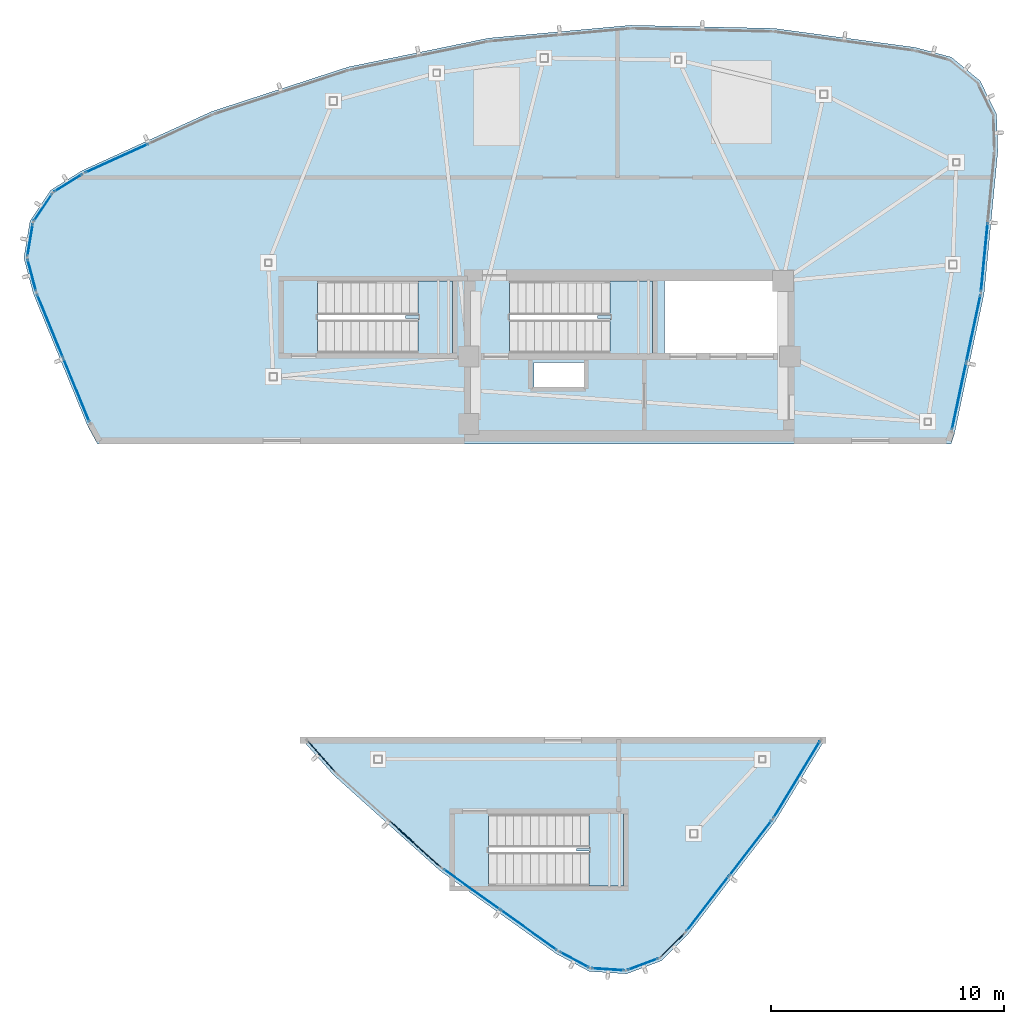
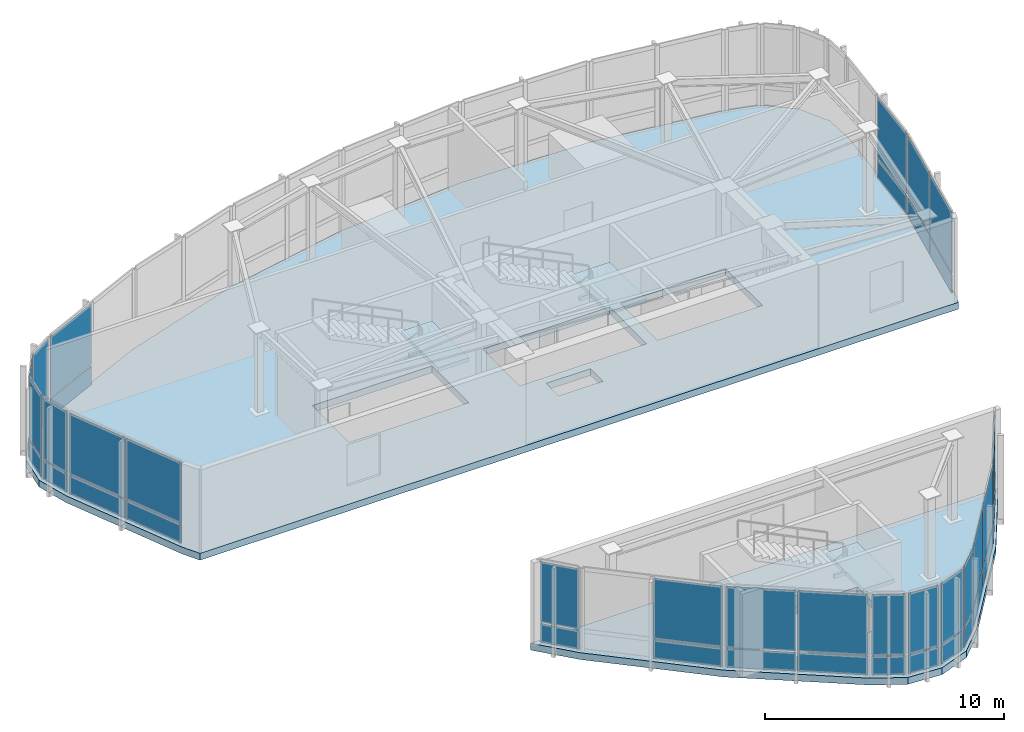
# One storey, part 9 of 16: 42 plates, 5 slabs, 20 elements without a shape of their own.
"""IFC4 building model written with IfcOpenShell, lengths in metres."""

from ifc_helpers import new_model, si_unit, direction, frame, origin, origin_2d, place, context, subcontext, project, spatial, polyline, rectangle, outline, extrude, source, transform, mapped, material, layer, layer_set, type_object, type_shapes, element, aggregate, save


model = new_model("IFC4")

# Units and contexts
model_context = context("Model", 3, precision=1e-05, world=origin(), true_north=direction((0.0, 1.0)))
body_context = subcontext(model_context, "Body", "Model", "MODEL_VIEW")
ifc_project = project(units=[si_unit("LENGTHUNIT", "METRE"), si_unit("AREAUNIT", "SQUARE_METRE"), si_unit("VOLUMEUNIT", "CUBIC_METRE"), si_unit("PLANEANGLEUNIT", "RADIAN"), si_unit("MASSUNIT", "GRAM", prefix="KILO")], contexts=[model_context])

# Site, building, storey
site_placement = place(None, origin())
site = spatial("IfcSite", under=ifc_project, at=site_placement, CompositionType="ELEMENT")
building_placement = place(site_placement, origin())
building = spatial("IfcBuilding", under=site, at=building_placement, Name="Tavelor Broadcast Tower", CompositionType="ELEMENT")
storey_placement = place(building_placement, frame((0.0, 0.0, 336.699951171875)))
storey = spatial("IfcBuildingStorey", under=building, at=storey_placement, Name="L80", CompositionType="ELEMENT", Elevation=336.699951171875)

# Slabs
ifc_material_1 = material(Name="Concrete C40/50", Category="concrete")
ifc_layer_1 = layer(ifc_material_1, 0.35009765625)
ifc_layer_set_1 = layer_set([ifc_layer_1], Name="Concrete C40/50")
slab_type_1 = type_object("IfcSlabType", Name="Podium Structural Floor Slab 350 mm", PredefinedType="FLOOR", material=ifc_layer_set_1)
slab_1_placement = place(storey_placement, frame((0.0, 0.0, -0.349853515625)))
element("IfcSlab", 1, at=slab_1_placement, inside=storey, type_object=slab_type_1, Name="L80 Crown Peak A Floor Slab", PredefinedType="FLOOR", context=body_context, shape_type="SweptSolid", body=[
    extrude(outline(polyline([(27.138671875, 44.199951171875), (63.831787109375, 44.199951171875), (63.97802734375, 44.64013671875), (65.250732421875, 50.65283203125), (65.842041015625, 56.7705078125), (65.78759765625, 58.369873046875), (65.07958984375, 59.805419921875), (63.84375, 60.822265625), (62.299072265625, 61.240478515625), (56.2080078125, 62.06201171875), (50.063720703125, 62.19580078125), (43.942626953125, 61.640380859375), (37.922607421875, 60.403076171875), (32.0791015625, 58.498779296875), (26.485595703125, 55.9521484375), (25.12744140625, 55.105224609375), (24.23828125, 53.7744140625), (23.9755859375, 52.19580078125), (24.3857421875, 50.648681640625), (26.719970703125, 44.963134765625), (27.138671875, 44.199951171875)]), holes=[polyline([(48.050048828125, 47.699951171875), (48.050048828125, 46.64990234375), (45.89990234375, 46.64990234375), (45.89990234375, 47.699951171875), (48.050048828125, 47.699951171875)]), polyline([(42.39599609375, 51.196044921875), (42.39599609375, 48.10400390625), (36.60400390625, 48.10400390625), (36.60400390625, 51.196044921875), (42.39599609375, 51.196044921875)]), polyline([(50.99609375, 51.196044921875), (50.99609375, 48.10400390625), (44.85400390625, 48.10400390625), (44.85400390625, 51.196044921875), (50.99609375, 51.196044921875)]), polyline([(56.60009765625, 51.199951171875), (56.60009765625, 48.10009765625), (51.52001953125, 48.10009765625), (51.52001953125, 51.199951171875), (56.60009765625, 51.199951171875)])]), origin(), (0.0, 0.0, 1.0), 0.349853515625),
])
slab_2_placement = place(storey_placement, frame((0.0, 0.0, -0.349853515625)))
element("IfcSlab", 2, at=slab_2_placement, inside=storey, type_object=slab_type_1, Name="L80 Crown Peak B Floor Slab", PredefinedType="FLOOR", context=body_context, shape_type="SweptSolid", body=[
    extrude(outline(polyline([(58.4716796875, 31.60009765625), (35.839599609375, 31.60009765625), (37.29931640625, 29.956787109375), (41.8701171875, 25.848388671875), (46.872314453125, 22.277587890625), (48.284912109375, 21.52490234375), (49.882080078125, 21.420166015625), (51.380615234375, 21.98193359375), (52.51513671875, 23.11083984375), (56.27197265625, 27.974853515625), (58.4716796875, 31.60009765625)]), holes=[polyline([(43.9541015625, 25.2041015625), (43.9541015625, 28.2958984375), (49.74609375, 28.2958984375), (49.74609375, 25.2041015625), (43.9541015625, 25.2041015625)])]), origin(), (0.0, 0.0, 1.0), 0.349853515625),
])

# Stair, slab
stair_type = type_object("IfcStairType", Name="Reinforced Concrete Protected Dogleg Stair 1450 mm", PredefinedType="HALF_TURN_STAIR", material=ifc_material_1)
stair_1_placement = place(storey_placement, origin())
stair_1 = element("IfcStair", 3, at=stair_1_placement, inside=storey, type_object=stair_type, Name="L80 Protected Core Exit Stair ST1", PredefinedType="HALF_TURN_STAIR")
ifc_layer_2 = layer(ifc_material_1, 0.199951171875)
ifc_layer_set_2 = layer_set([ifc_layer_2], Name="Concrete C40/50")
slab_type_2 = type_object("IfcSlabType", Name="Reinforced Concrete Stair Half-Landing Slab 200 mm", PredefinedType="LANDING", material=ifc_layer_set_2)
slab_3_placement = place(storey_placement, frame((0.0, 0.0, 2.10009765625)))
slab_3 = element("IfcSlab", 4, at=slab_3_placement, type_object=slab_type_2, Name="ST1 landing 1", PredefinedType="LANDING", context=body_context, shape_type="SweptSolid", body=[
    extrude(outline(polyline([(49.1650390625, 49.590087890625), (49.1650390625, 48.094970703125), (51.0048828125, 48.094970703125), (51.0048828125, 51.205078125), (49.1650390625, 51.205078125), (49.1650390625, 49.7099609375), (48.625, 49.7099609375), (48.625, 49.590087890625), (49.1650390625, 49.590087890625)])), origin(), (0.0, 0.0, 1.0), 0.199951171875),
])
aggregate(stair_1, [slab_3])

stair_2_placement = place(storey_placement, origin())
stair_2 = element("IfcStair", 5, at=stair_2_placement, inside=storey, type_object=stair_type, Name="L80 Crown Peak A Plant Stair ST5", PredefinedType="HALF_TURN_STAIR")
slab_4_placement = place(storey_placement, frame((0.0, 0.0, 2.10009765625)))
slab_4 = element("IfcSlab", 6, at=slab_4_placement, type_object=slab_type_2, Name="ST5 landing 1", PredefinedType="LANDING", context=body_context, shape_type="SweptSolid", body=[
    extrude(outline(polyline([(40.9150390625, 49.590087890625), (40.9150390625, 48.094970703125), (42.405029296875, 48.094970703125), (42.405029296875, 51.205078125), (40.9150390625, 51.205078125), (40.9150390625, 49.7099609375), (40.375, 49.7099609375), (40.375, 49.590087890625), (40.9150390625, 49.590087890625)])), origin(), (0.0, 0.0, 1.0), 0.199951171875),
])
aggregate(stair_2, [slab_4])

stair_3_placement = place(storey_placement, origin())
stair_3 = element("IfcStair", 7, at=stair_3_placement, inside=storey, type_object=stair_type, Name="L80 Crown Peak B Plant Stair ST6", PredefinedType="HALF_TURN_STAIR")
slab_5_placement = place(storey_placement, frame((0.0, 0.0, 2.10009765625)))
slab_5 = element("IfcSlab", 8, at=slab_5_placement, type_object=slab_type_2, Name="ST6 landing 1", PredefinedType="LANDING", context=body_context, shape_type="SweptSolid", body=[
    extrude(outline(polyline([(48.264892578125, 26.68994140625), (48.264892578125, 25.195068359375), (49.7548828125, 25.195068359375), (49.7548828125, 28.304931640625), (48.264892578125, 28.304931640625), (48.264892578125, 26.81005859375), (47.72509765625, 26.81005859375), (47.72509765625, 26.68994140625), (48.264892578125, 26.68994140625)])), origin(), (0.0, 0.0, 1.0), 0.199951171875),
])
aggregate(stair_3, [slab_5])

# Curtain wall, plates
ifc_material_2 = material(Name="Architectural Anodized Aluminium", Category="aluminium")
ifc_layer_3 = layer(ifc_material_2, 0.2099609375)
ifc_layer_set_3 = layer_set([ifc_layer_3], Name="Architectural Anodized Aluminium")
curtain_wall_type = type_object("IfcCurtainWallType", Name="Split-Crown Beacon Curtain Wall CW06", PredefinedType="NOTDEFINED", material=ifc_layer_set_3)
curtain_wall_1_placement = place(storey_placement, origin())
curtain_wall_1 = element("IfcCurtainWall", 9, at=curtain_wall_1_placement, inside=storey, type_object=curtain_wall_type, Name="L80 Curtain Wall CW06 Run 903", PredefinedType="NOTDEFINED")
ifc_material_3 = material(Name="Dichroic Solar Laminated Glazing 34 mm", Category="glass")
ifc_layer_4 = layer(ifc_material_3, 0.033935546875)
ifc_layer_set_4 = layer_set([ifc_layer_4], Name="Dichroic Solar Laminated Glazing 34 mm")
plate_type = type_object("IfcPlateType", Name="CW06 Insulated Vision Glazing Panel 34 mm", PredefinedType="CURTAIN_PANEL", material=ifc_layer_set_4)
shared_shape_1 = source(origin(), body_context, "Body", "SweptSolid", [
    extrude(rectangle(XDim=2.90966796875, YDim=0.033935546875, at=origin_2d()), origin(), (0.0, 0.0, 1.0), 0.94189453125),
])
plate_1_placement = place(storey_placement, frame((64.17529296875, 46.248779296875, 0.072021484375), z_axis=(0.0, 0.0, 1.0), x_axis=(0.207100105662, 0.978319756641, 0.0)))
plate_1 = element("IfcPlate", 10, at=plate_1_placement, type_object=plate_type, Name="CW06 panel 1.1", PredefinedType="CURTAIN_PANEL", context=body_context, shape_type="MappedRepresentation", body=[
    mapped(shared_shape_1, transform((0.0, 0.0, 0.0), scale=1.0)),
])
plate_2_placement = place(storey_placement, frame((64.79296875, 49.165771484375, 0.072021484375), z_axis=(0.0, 0.0, 1.0), x_axis=(0.207100105662, 0.978319756641, 0.0)))
plate_2 = element("IfcPlate", 11, at=plate_2_placement, type_object=plate_type, Name="CW06 panel 2.1", PredefinedType="CURTAIN_PANEL", context=body_context, shape_type="MappedRepresentation", body=[
    mapped(shared_shape_1, transform((0.0, 0.0, 0.0), scale=1.0)),
])
shared_shape_2 = source(origin(), body_context, "Body", "SweptSolid", [
    extrude(rectangle(XDim=2.90966796875, YDim=0.033935546875, at=origin_2d()), origin(), (0.0, 0.0, 1.0), 3.092041015625),
])
plate_3_placement = place(storey_placement, frame((64.17529296875, 46.248779296875, 1.0859375), z_axis=(0.0, 0.0, 1.0), x_axis=(0.207100105662, 0.978319756641, 0.0)))
plate_3 = element("IfcPlate", 12, at=plate_3_placement, type_object=plate_type, Name="CW06 panel 1.2", PredefinedType="CURTAIN_PANEL", context=body_context, shape_type="MappedRepresentation", body=[
    mapped(shared_shape_2, transform((0.0, 0.0, 0.0), scale=1.0)),
])
plate_4_placement = place(storey_placement, frame((64.79296875, 49.165771484375, 1.0859375), z_axis=(0.0, 0.0, 1.0), x_axis=(0.207100105662, 0.978319756641, 0.0)))
plate_4 = element("IfcPlate", 13, at=plate_4_placement, type_object=plate_type, Name="CW06 panel 2.2", PredefinedType="CURTAIN_PANEL", context=body_context, shape_type="MappedRepresentation", body=[
    mapped(shared_shape_2, transform((0.0, 0.0, 0.0), scale=1.0)),
])
aggregate(curtain_wall_1, [plate_1, plate_3, plate_2, plate_4])

# Curtain wall, plate
curtain_wall_2_placement = place(storey_placement, origin())
curtain_wall_2 = element("IfcCurtainWall", 14, at=curtain_wall_2_placement, inside=storey, type_object=curtain_wall_type, Name="L80 Curtain Wall CW06 Run 904", PredefinedType="NOTDEFINED")
shared_shape_3 = source(origin(), body_context, "Body", "SweptSolid", [
    extrude(rectangle(XDim=2.94140625, YDim=0.033935546875, at=origin_2d()), origin(), (0.0, 0.0, 1.0), 0.94189453125),
])
plate_5_placement = place(storey_placement, frame((65.261962890625, 52.224609375, 0.072021484375), z_axis=(0.0, 0.0, 1.0), x_axis=(0.09619633773, 0.995362378537, 0.0)))
plate_5 = element("IfcPlate", 15, at=plate_5_placement, type_object=plate_type, Name="CW06 panel 1.1", PredefinedType="CURTAIN_PANEL", context=body_context, shape_type="MappedRepresentation", body=[
    mapped(shared_shape_3, transform((0.0, 0.0, 0.0), scale=1.0)),
])

curtain_wall_3_placement = place(storey_placement, origin())
curtain_wall_3 = element("IfcCurtainWall", 16, at=curtain_wall_3_placement, inside=storey, type_object=curtain_wall_type, Name="L80 Curtain Wall CW06 Run 914", PredefinedType="NOTDEFINED")
plate_6_placement = place(storey_placement, frame((27.969482421875, 56.473876953125, 0.072021484375), z_axis=(0.0, 0.0, 1.0), x_axis=(-0.910109689014, -0.414367414215, 0.0)))
plate_6 = element("IfcPlate", 17, at=plate_6_placement, type_object=plate_type, Name="CW06 panel 2.1", PredefinedType="CURTAIN_PANEL", context=body_context, shape_type="MappedRepresentation", body=[
    mapped(shared_shape_3, transform((0.0, 0.0, 0.0), scale=1.0)),
])

# Curtain wall, plates
curtain_wall_4_placement = place(storey_placement, origin())
curtain_wall_4 = element("IfcCurtainWall", 18, at=curtain_wall_4_placement, inside=storey, type_object=curtain_wall_type, Name="L80 Curtain Wall CW06 Run 927", PredefinedType="NOTDEFINED")
plate_7_placement = place(storey_placement, frame((53.3623046875, 24.4365234375, 0.072021484375), z_axis=(0.0, 0.0, 1.0), x_axis=(0.611254757254, 0.791433902315, 0.0)))
plate_7 = element("IfcPlate", 19, at=plate_7_placement, type_object=plate_type, Name="CW06 panel 1.1", PredefinedType="CURTAIN_PANEL", context=body_context, shape_type="MappedRepresentation", body=[
    mapped(shared_shape_3, transform((0.0, 0.0, 0.0), scale=1.0)),
])
plate_8_placement = place(storey_placement, frame((55.2041015625, 26.821533203125, 0.072021484375), z_axis=(0.0, 0.0, 1.0), x_axis=(0.611254757254, 0.791433902315, 0.0)))
plate_8 = element("IfcPlate", 20, at=plate_8_placement, type_object=plate_type, Name="CW06 panel 2.1", PredefinedType="CURTAIN_PANEL", context=body_context, shape_type="MappedRepresentation", body=[
    mapped(shared_shape_3, transform((0.0, 0.0, 0.0), scale=1.0)),
])

# Plate
shared_shape_4 = source(origin(), body_context, "Body", "SweptSolid", [
    extrude(rectangle(XDim=2.94140625, YDim=0.033935546875, at=origin_2d()), origin(), (0.0, 0.0, 1.0), 3.092041015625),
])
plate_9_placement = place(storey_placement, frame((65.261962890625, 52.224609375, 1.0859375), z_axis=(0.0, 0.0, 1.0), x_axis=(0.09619633773, 0.995362378537, 0.0)))
plate_9 = element("IfcPlate", 21, at=plate_9_placement, type_object=plate_type, Name="CW06 panel 1.2", PredefinedType="CURTAIN_PANEL", context=body_context, shape_type="MappedRepresentation", body=[
    mapped(shared_shape_4, transform((0.0, 0.0, 0.0), scale=1.0)),
])

aggregate(curtain_wall_2, [plate_5, plate_9])

plate_10_placement = place(storey_placement, frame((27.969482421875, 56.473876953125, 1.0859375), z_axis=(0.0, 0.0, 1.0), x_axis=(-0.910109689014, -0.414367414215, 0.0)))
plate_10 = element("IfcPlate", 22, at=plate_10_placement, type_object=plate_type, Name="CW06 panel 2.2", PredefinedType="CURTAIN_PANEL", context=body_context, shape_type="MappedRepresentation", body=[
    mapped(shared_shape_4, transform((0.0, 0.0, 0.0), scale=1.0)),
])

aggregate(curtain_wall_3, [plate_6, plate_10])

plate_11_placement = place(storey_placement, frame((53.3623046875, 24.4365234375, 1.0859375), z_axis=(0.0, 0.0, 1.0), x_axis=(0.611254757254, 0.791433902315, 0.0)))
plate_11 = element("IfcPlate", 23, at=plate_11_placement, type_object=plate_type, Name="CW06 panel 1.2", PredefinedType="CURTAIN_PANEL", context=body_context, shape_type="MappedRepresentation", body=[
    mapped(shared_shape_4, transform((0.0, 0.0, 0.0), scale=1.0)),
])

plate_12_placement = place(storey_placement, frame((55.2041015625, 26.821533203125, 1.0859375), z_axis=(0.0, 0.0, 1.0), x_axis=(0.611254757254, 0.791433902315, 0.0)))
plate_12 = element("IfcPlate", 24, at=plate_12_placement, type_object=plate_type, Name="CW06 panel 2.2", PredefinedType="CURTAIN_PANEL", context=body_context, shape_type="MappedRepresentation", body=[
    mapped(shared_shape_4, transform((0.0, 0.0, 0.0), scale=1.0)),
])

aggregate(curtain_wall_4, [plate_7, plate_11, plate_8, plate_12])

# Curtain wall, plate
curtain_wall_5_placement = place(storey_placement, origin())
curtain_wall_5 = element("IfcCurtainWall", 25, at=curtain_wall_5_placement, inside=storey, type_object=curtain_wall_type, Name="L80 Curtain Wall CW06 Run 915", PredefinedType="NOTDEFINED")
shared_shape_5 = source(origin(), body_context, "Body", "SweptSolid", [
    extrude(rectangle(XDim=1.38720703125, YDim=0.033935546875, at=origin_2d()), origin(), (0.0, 0.0, 1.0), 0.94189453125),
])
plate_13_placement = place(storey_placement, frame((25.889404296875, 55.415283203125, 0.072021484375), z_axis=(0.0, 0.0, 1.0), x_axis=(-0.848526244845, -0.529153297079, 0.0)))
plate_13 = element("IfcPlate", 26, at=plate_13_placement, type_object=plate_type, Name="CW06 panel 1.1", PredefinedType="CURTAIN_PANEL", context=body_context, shape_type="MappedRepresentation", body=[
    mapped(shared_shape_5, transform((0.0, 0.0, 0.0), scale=1.0)),
])

curtain_wall_6_placement = place(storey_placement, origin())
curtain_wall_6 = element("IfcCurtainWall", 27, at=curtain_wall_6_placement, inside=storey, type_object=curtain_wall_type, Name="L80 Curtain Wall CW06 Run 918", PredefinedType="NOTDEFINED")
plate_14_placement = place(storey_placement, frame((24.318603515625, 51.447998046875, 0.072021484375), z_axis=(0.0, 0.0, 1.0), x_axis=(0.256280287373, -0.966602511017, 0.0)))
plate_14 = element("IfcPlate", 28, at=plate_14_placement, type_object=plate_type, Name="CW06 panel 1.1", PredefinedType="CURTAIN_PANEL", context=body_context, shape_type="MappedRepresentation", body=[
    mapped(shared_shape_5, transform((0.0, 0.0, 0.0), scale=1.0)),
])

curtain_wall_7_placement = place(storey_placement, origin())
curtain_wall_7 = element("IfcCurtainWall", 29, at=curtain_wall_7_placement, inside=storey, type_object=curtain_wall_type, Name="L80 Curtain Wall CW06 Run 923", PredefinedType="NOTDEFINED")
plate_15_placement = place(storey_placement, frame((47.63525390625, 22.02978515625, 0.072021484375), z_axis=(0.0, 0.0, 1.0), x_axis=(0.882555333009, -0.470208553917, 0.0)))
plate_15 = element("IfcPlate", 30, at=plate_15_placement, type_object=plate_type, Name="CW06 panel 1.1", PredefinedType="CURTAIN_PANEL", context=body_context, shape_type="MappedRepresentation", body=[
    mapped(shared_shape_5, transform((0.0, 0.0, 0.0), scale=1.0)),
])

curtain_wall_8_placement = place(storey_placement, origin())
curtain_wall_8 = element("IfcCurtainWall", 31, at=curtain_wall_8_placement, inside=storey, type_object=curtain_wall_type, Name="L80 Curtain Wall CW06 Run 926", PredefinedType="NOTDEFINED")
plate_16_placement = place(storey_placement, frame((51.856689453125, 22.653076171875, 0.072021484375), z_axis=(0.0, 0.0, 1.0), x_axis=(0.708900590599, 0.705308409597, 0.0)))
plate_16 = element("IfcPlate", 32, at=plate_16_placement, type_object=plate_type, Name="CW06 panel 1.1", PredefinedType="CURTAIN_PANEL", context=body_context, shape_type="MappedRepresentation", body=[
    mapped(shared_shape_5, transform((0.0, 0.0, 0.0), scale=1.0)),
])

# Plate
shared_shape_6 = source(origin(), body_context, "Body", "SweptSolid", [
    extrude(rectangle(XDim=1.38720703125, YDim=0.033935546875, at=origin_2d()), origin(), (0.0, 0.0, 1.0), 3.092041015625),
])
plate_17_placement = place(storey_placement, frame((25.889404296875, 55.415283203125, 1.0859375), z_axis=(0.0, 0.0, 1.0), x_axis=(-0.848526244845, -0.529153297079, 0.0)))
plate_17 = element("IfcPlate", 33, at=plate_17_placement, type_object=plate_type, Name="CW06 panel 1.2", PredefinedType="CURTAIN_PANEL", context=body_context, shape_type="MappedRepresentation", body=[
    mapped(shared_shape_6, transform((0.0, 0.0, 0.0), scale=1.0)),
])

aggregate(curtain_wall_5, [plate_13, plate_17])

plate_18_placement = place(storey_placement, frame((24.318603515625, 51.447998046875, 1.0859375), z_axis=(0.0, 0.0, 1.0), x_axis=(0.256280287373, -0.966602511017, 0.0)))
plate_18 = element("IfcPlate", 34, at=plate_18_placement, type_object=plate_type, Name="CW06 panel 1.2", PredefinedType="CURTAIN_PANEL", context=body_context, shape_type="MappedRepresentation", body=[
    mapped(shared_shape_6, transform((0.0, 0.0, 0.0), scale=1.0)),
])

aggregate(curtain_wall_6, [plate_14, plate_18])

plate_19_placement = place(storey_placement, frame((47.63525390625, 22.02978515625, 1.0859375), z_axis=(0.0, 0.0, 1.0), x_axis=(0.882555333009, -0.470208553917, 0.0)))
plate_19 = element("IfcPlate", 35, at=plate_19_placement, type_object=plate_type, Name="CW06 panel 1.2", PredefinedType="CURTAIN_PANEL", context=body_context, shape_type="MappedRepresentation", body=[
    mapped(shared_shape_6, transform((0.0, 0.0, 0.0), scale=1.0)),
])

aggregate(curtain_wall_7, [plate_15, plate_19])

plate_20_placement = place(storey_placement, frame((51.856689453125, 22.653076171875, 1.0859375), z_axis=(0.0, 0.0, 1.0), x_axis=(0.708900590599, 0.705308409597, 0.0)))
plate_20 = element("IfcPlate", 36, at=plate_20_placement, type_object=plate_type, Name="CW06 panel 1.2", PredefinedType="CURTAIN_PANEL", context=body_context, shape_type="MappedRepresentation", body=[
    mapped(shared_shape_6, transform((0.0, 0.0, 0.0), scale=1.0)),
])

aggregate(curtain_wall_8, [plate_16, plate_20])

# Curtain wall, plate
curtain_wall_9_placement = place(storey_placement, origin())
curtain_wall_9 = element("IfcCurtainWall", 37, at=curtain_wall_9_placement, inside=storey, type_object=curtain_wall_type, Name="L80 Curtain Wall CW06 Run 916", PredefinedType="NOTDEFINED")
shared_shape_7 = source(origin(), body_context, "Body", "SweptSolid", [
    extrude(rectangle(XDim=1.3662109375, YDim=0.033935546875, at=origin_2d()), origin(), (0.0, 0.0, 1.0), 0.94189453125),
])
plate_21_placement = place(storey_placement, frame((24.79931640625, 54.362060546875, 0.072021484375), z_axis=(0.0, 0.0, 1.0), x_axis=(-0.555509840777, -0.831509961937, 0.0)))
plate_21 = element("IfcPlate", 38, at=plate_21_placement, type_object=plate_type, Name="CW06 panel 1.1", PredefinedType="CURTAIN_PANEL", context=body_context, shape_type="MappedRepresentation", body=[
    mapped(shared_shape_7, transform((0.0, 0.0, 0.0), scale=1.0)),
])

curtain_wall_10_placement = place(storey_placement, origin())
curtain_wall_10 = element("IfcCurtainWall", 39, at=curtain_wall_10_placement, inside=storey, type_object=curtain_wall_type, Name="L80 Curtain Wall CW06 Run 917", PredefinedType="NOTDEFINED")
plate_22_placement = place(storey_placement, frame((24.2451171875, 52.962158203125, 0.072021484375), z_axis=(0.0, 0.0, 1.0), x_axis=(-0.164216442241, -0.98642433065, 0.0)))
plate_22 = element("IfcPlate", 40, at=plate_22_placement, type_object=plate_type, Name="CW06 panel 1.1", PredefinedType="CURTAIN_PANEL", context=body_context, shape_type="MappedRepresentation", body=[
    mapped(shared_shape_7, transform((0.0, 0.0, 0.0), scale=1.0)),
])

curtain_wall_11_placement = place(storey_placement, origin())
curtain_wall_11 = element("IfcCurtainWall", 41, at=curtain_wall_11_placement, inside=storey, type_object=curtain_wall_type, Name="L80 Curtain Wall CW06 Run 924", PredefinedType="NOTDEFINED")
plate_23_placement = place(storey_placement, frame((49.092529296875, 21.6123046875, 0.072021484375), z_axis=(0.0, 0.0, 1.0), x_axis=(0.997862119819, -0.065354340567, 0.0)))
plate_23 = element("IfcPlate", 42, at=plate_23_placement, type_object=plate_type, Name="CW06 panel 1.1", PredefinedType="CURTAIN_PANEL", context=body_context, shape_type="MappedRepresentation", body=[
    mapped(shared_shape_7, transform((0.0, 0.0, 0.0), scale=1.0)),
])

curtain_wall_12_placement = place(storey_placement, origin())
curtain_wall_12 = element("IfcCurtainWall", 43, at=curtain_wall_12_placement, inside=storey, type_object=curtain_wall_type, Name="L80 Curtain Wall CW06 Run 925", PredefinedType="NOTDEFINED")
plate_24_placement = place(storey_placement, frame((50.58203125, 21.83203125, 0.072021484375), z_axis=(0.0, 0.0, 1.0), x_axis=(0.936369989742, 0.351014589883, 0.0)))
plate_24 = element("IfcPlate", 44, at=plate_24_placement, type_object=plate_type, Name="CW06 panel 1.1", PredefinedType="CURTAIN_PANEL", context=body_context, shape_type="MappedRepresentation", body=[
    mapped(shared_shape_7, transform((0.0, 0.0, 0.0), scale=1.0)),
])

# Plate
shared_shape_8 = source(origin(), body_context, "Body", "SweptSolid", [
    extrude(rectangle(XDim=1.3662109375, YDim=0.033935546875, at=origin_2d()), origin(), (0.0, 0.0, 1.0), 3.092041015625),
])
plate_25_placement = place(storey_placement, frame((24.79931640625, 54.362060546875, 1.0859375), z_axis=(0.0, 0.0, 1.0), x_axis=(-0.555509840777, -0.831509961937, 0.0)))
plate_25 = element("IfcPlate", 45, at=plate_25_placement, type_object=plate_type, Name="CW06 panel 1.2", PredefinedType="CURTAIN_PANEL", context=body_context, shape_type="MappedRepresentation", body=[
    mapped(shared_shape_8, transform((0.0, 0.0, 0.0), scale=1.0)),
])

aggregate(curtain_wall_9, [plate_21, plate_25])

plate_26_placement = place(storey_placement, frame((24.2451171875, 52.962158203125, 1.0859375), z_axis=(0.0, 0.0, 1.0), x_axis=(-0.164216442241, -0.98642433065, 0.0)))
plate_26 = element("IfcPlate", 46, at=plate_26_placement, type_object=plate_type, Name="CW06 panel 1.2", PredefinedType="CURTAIN_PANEL", context=body_context, shape_type="MappedRepresentation", body=[
    mapped(shared_shape_8, transform((0.0, 0.0, 0.0), scale=1.0)),
])

aggregate(curtain_wall_10, [plate_22, plate_26])

plate_27_placement = place(storey_placement, frame((49.092529296875, 21.6123046875, 1.0859375), z_axis=(0.0, 0.0, 1.0), x_axis=(0.997862119819, -0.065354340567, 0.0)))
plate_27 = element("IfcPlate", 47, at=plate_27_placement, type_object=plate_type, Name="CW06 panel 1.2", PredefinedType="CURTAIN_PANEL", context=body_context, shape_type="MappedRepresentation", body=[
    mapped(shared_shape_8, transform((0.0, 0.0, 0.0), scale=1.0)),
])

aggregate(curtain_wall_11, [plate_23, plate_27])

plate_28_placement = place(storey_placement, frame((50.58203125, 21.83203125, 1.0859375), z_axis=(0.0, 0.0, 1.0), x_axis=(0.936369989742, 0.351014589883, 0.0)))
plate_28 = element("IfcPlate", 48, at=plate_28_placement, type_object=plate_type, Name="CW06 panel 1.2", PredefinedType="CURTAIN_PANEL", context=body_context, shape_type="MappedRepresentation", body=[
    mapped(shared_shape_8, transform((0.0, 0.0, 0.0), scale=1.0)),
])

aggregate(curtain_wall_12, [plate_24, plate_28])

# Curtain wall, plates
curtain_wall_13_placement = place(storey_placement, origin())
curtain_wall_13 = element("IfcCurtainWall", 49, at=curtain_wall_13_placement, inside=storey, type_object=curtain_wall_type, Name="L80 Curtain Wall CW06 Run 921", PredefinedType="NOTDEFINED")
shared_shape_9 = source(origin(), body_context, "Body", "SweptSolid", [
    extrude(rectangle(XDim=2.942138671875, YDim=0.033935546875, at=origin_2d()), origin(), (0.0, 0.0, 1.0), 0.94189453125),
])
plate_29_placement = place(storey_placement, frame((40.799072265625, 26.999267578125, 0.072021484375), z_axis=(0.0, 0.0, 1.0), x_axis=(0.743711340311, -0.668500891766, 0.0)))
plate_29 = element("IfcPlate", 50, at=plate_29_placement, type_object=plate_type, Name="CW06 panel 2.1", PredefinedType="CURTAIN_PANEL", context=body_context, shape_type="MappedRepresentation", body=[
    mapped(shared_shape_9, transform((0.0, 0.0, 0.0), scale=1.0)),
])
shared_shape_10 = source(origin(), body_context, "Body", "SweptSolid", [
    extrude(rectangle(XDim=2.942138671875, YDim=0.033935546875, at=origin_2d()), origin(), (0.0, 0.0, 1.0), 3.092041015625),
])
plate_30_placement = place(storey_placement, frame((40.799072265625, 26.999267578125, 1.0859375), z_axis=(0.0, 0.0, 1.0), x_axis=(0.743711340311, -0.668500891766, 0.0)))
plate_30 = element("IfcPlate", 51, at=plate_30_placement, type_object=plate_type, Name="CW06 panel 2.2", PredefinedType="CURTAIN_PANEL", context=body_context, shape_type="MappedRepresentation", body=[
    mapped(shared_shape_10, transform((0.0, 0.0, 0.0), scale=1.0)),
])
aggregate(curtain_wall_13, [plate_29, plate_30])

curtain_wall_14_placement = place(storey_placement, origin())
curtain_wall_14 = element("IfcCurtainWall", 52, at=curtain_wall_14_placement, inside=storey, type_object=curtain_wall_type, Name="L80 Curtain Wall CW06 Run 919", PredefinedType="NOTDEFINED")
shared_shape_11 = source(origin(), body_context, "Body", "SweptSolid", [
    extrude(rectangle(XDim=2.908935546875, YDim=0.033935546875, at=origin_2d()), origin(), (0.0, 0.0, 1.0), 0.94189453125),
])
plate_31_placement = place(storey_placement, frame((25.104248046875, 49.267333984375, 0.072021484375), z_axis=(0.0, 0.0, 1.0), x_axis=(0.379767671627, -0.925081896692, 0.0)))
plate_31 = element("IfcPlate", 53, at=plate_31_placement, type_object=plate_type, Name="CW06 panel 1.1", PredefinedType="CURTAIN_PANEL", context=body_context, shape_type="MappedRepresentation", body=[
    mapped(shared_shape_11, transform((0.0, 0.0, 0.0), scale=1.0)),
])
plate_32_placement = place(storey_placement, frame((26.236328125, 46.509765625, 0.072021484375), z_axis=(0.0, 0.0, 1.0), x_axis=(0.379767671627, -0.925081896692, 0.0)))
plate_32 = element("IfcPlate", 54, at=plate_32_placement, type_object=plate_type, Name="CW06 panel 2.1", PredefinedType="CURTAIN_PANEL", context=body_context, shape_type="MappedRepresentation", body=[
    mapped(shared_shape_11, transform((0.0, 0.0, 0.0), scale=1.0)),
])
shared_shape_12 = source(origin(), body_context, "Body", "SweptSolid", [
    extrude(rectangle(XDim=2.908935546875, YDim=0.033935546875, at=origin_2d()), origin(), (0.0, 0.0, 1.0), 3.092041015625),
])
plate_33_placement = place(storey_placement, frame((25.104248046875, 49.267333984375, 1.0859375), z_axis=(0.0, 0.0, 1.0), x_axis=(0.379767671627, -0.925081896692, 0.0)))
plate_33 = element("IfcPlate", 55, at=plate_33_placement, type_object=plate_type, Name="CW06 panel 1.2", PredefinedType="CURTAIN_PANEL", context=body_context, shape_type="MappedRepresentation", body=[
    mapped(shared_shape_12, transform((0.0, 0.0, 0.0), scale=1.0)),
])
plate_34_placement = place(storey_placement, frame((26.236328125, 46.509765625, 1.0859375), z_axis=(0.0, 0.0, 1.0), x_axis=(0.379767671627, -0.925081896692, 0.0)))
plate_34 = element("IfcPlate", 56, at=plate_34_placement, type_object=plate_type, Name="CW06 panel 2.2", PredefinedType="CURTAIN_PANEL", context=body_context, shape_type="MappedRepresentation", body=[
    mapped(shared_shape_12, transform((0.0, 0.0, 0.0), scale=1.0)),
])
aggregate(curtain_wall_14, [plate_31, plate_33, plate_32, plate_34])

curtain_wall_15_placement = place(storey_placement, origin())
curtain_wall_15 = element("IfcCurtainWall", 57, at=curtain_wall_15_placement, inside=storey, type_object=curtain_wall_type, Name="L80 Curtain Wall CW06 Run 920", PredefinedType="NOTDEFINED")
shared_shape_13 = source(origin(), body_context, "Body", "SweptSolid", [
    extrude(rectangle(XDim=1.71923828125, YDim=0.033935546875, at=origin_2d()), origin(), (0.0, 0.0, 1.0), 0.94189453125),
])
plate_35_placement = place(storey_placement, frame((36.77001953125, 30.763427734375, 0.072021484375), z_axis=(0.0, 0.0, 1.0), x_axis=(0.664147286445, -0.747601753548, 0.0)))
plate_35 = element("IfcPlate", 58, at=plate_35_placement, type_object=plate_type, Name="CW06 panel 1.1", PredefinedType="CURTAIN_PANEL", context=body_context, shape_type="MappedRepresentation", body=[
    mapped(shared_shape_13, transform((0.0, 0.0, 0.0), scale=1.0)),
])
shared_shape_14 = source(origin(), body_context, "Body", "SweptSolid", [
    extrude(rectangle(XDim=1.71923828125, YDim=0.033935546875, at=origin_2d()), origin(), (0.0, 0.0, 1.0), 3.092041015625),
])
plate_36_placement = place(storey_placement, frame((36.77001953125, 30.763427734375, 1.0859375), z_axis=(0.0, 0.0, 1.0), x_axis=(0.664147286445, -0.747601753548, 0.0)))
plate_36 = element("IfcPlate", 59, at=plate_36_placement, type_object=plate_type, Name="CW06 panel 1.2", PredefinedType="CURTAIN_PANEL", context=body_context, shape_type="MappedRepresentation", body=[
    mapped(shared_shape_14, transform((0.0, 0.0, 0.0), scale=1.0)),
])
aggregate(curtain_wall_15, [plate_35, plate_36])

curtain_wall_16_placement = place(storey_placement, origin())
curtain_wall_16 = element("IfcCurtainWall", 60, at=curtain_wall_16_placement, inside=storey, type_object=curtain_wall_type, Name="L80 Curtain Wall CW06 Run 922", PredefinedType="NOTDEFINED")
shared_shape_15 = source(origin(), body_context, "Body", "SweptSolid", [
    extrude(rectangle(XDim=2.941650390625, YDim=0.033935546875, at=origin_2d()), origin(), (0.0, 0.0, 1.0), 0.94189453125),
])
plate_37_placement = place(storey_placement, frame((43.2255859375, 25.052734375, 0.072021484375), z_axis=(0.0, 0.0, 1.0), x_axis=(0.813910686741, -0.58099001197, 0.0)))
plate_37 = element("IfcPlate", 61, at=plate_37_placement, type_object=plate_type, Name="CW06 panel 1.1", PredefinedType="CURTAIN_PANEL", context=body_context, shape_type="MappedRepresentation", body=[
    mapped(shared_shape_15, transform((0.0, 0.0, 0.0), scale=1.0)),
])
plate_38_placement = place(storey_placement, frame((45.678466796875, 23.3017578125, 0.072021484375), z_axis=(0.0, 0.0, 1.0), x_axis=(0.813910686741, -0.58099001197, 0.0)))
plate_38 = element("IfcPlate", 62, at=plate_38_placement, type_object=plate_type, Name="CW06 panel 2.1", PredefinedType="CURTAIN_PANEL", context=body_context, shape_type="MappedRepresentation", body=[
    mapped(shared_shape_15, transform((0.0, 0.0, 0.0), scale=1.0)),
])
shared_shape_16 = source(origin(), body_context, "Body", "SweptSolid", [
    extrude(rectangle(XDim=2.941650390625, YDim=0.033935546875, at=origin_2d()), origin(), (0.0, 0.0, 1.0), 3.092041015625),
])
plate_39_placement = place(storey_placement, frame((43.2255859375, 25.052734375, 1.0859375), z_axis=(0.0, 0.0, 1.0), x_axis=(0.813910686741, -0.58099001197, 0.0)))
plate_39 = element("IfcPlate", 63, at=plate_39_placement, type_object=plate_type, Name="CW06 panel 1.2", PredefinedType="CURTAIN_PANEL", context=body_context, shape_type="MappedRepresentation", body=[
    mapped(shared_shape_16, transform((0.0, 0.0, 0.0), scale=1.0)),
])
plate_40_placement = place(storey_placement, frame((45.678466796875, 23.3017578125, 1.0859375), z_axis=(0.0, 0.0, 1.0), x_axis=(0.813910686741, -0.58099001197, 0.0)))
plate_40 = element("IfcPlate", 64, at=plate_40_placement, type_object=plate_type, Name="CW06 panel 2.2", PredefinedType="CURTAIN_PANEL", context=body_context, shape_type="MappedRepresentation", body=[
    mapped(shared_shape_16, transform((0.0, 0.0, 0.0), scale=1.0)),
])
aggregate(curtain_wall_16, [plate_37, plate_39, plate_38, plate_40])

curtain_wall_17_placement = place(storey_placement, origin())
curtain_wall_17 = element("IfcCurtainWall", 65, at=curtain_wall_17_placement, inside=storey, type_object=curtain_wall_type, Name="L80 Curtain Wall CW06 Run 928", PredefinedType="NOTDEFINED")
shared_shape_17 = source(origin(), body_context, "Body", "SweptSolid", [
    extrude(rectangle(XDim=3.82470703125, YDim=0.033935546875, at=origin_2d()), origin(), (0.0, 0.0, 1.0), 0.94189453125),
])
plate_41_placement = place(storey_placement, frame((57.193603515625, 29.763671875, 0.072021484375), z_axis=(0.0, 0.0, 1.0), x_axis=(0.518743375249, 0.854930003354, 0.0)))
plate_41 = element("IfcPlate", 66, at=plate_41_placement, type_object=plate_type, Name="CW06 panel 1.1", PredefinedType="CURTAIN_PANEL", context=body_context, shape_type="MappedRepresentation", body=[
    mapped(shared_shape_17, transform((0.0, 0.0, 0.0), scale=1.0)),
])
shared_shape_18 = source(origin(), body_context, "Body", "SweptSolid", [
    extrude(rectangle(XDim=3.82470703125, YDim=0.033935546875, at=origin_2d()), origin(), (0.0, 0.0, 1.0), 3.092041015625),
])
type_shapes(plate_type, [shared_shape_1, shared_shape_2, shared_shape_3, shared_shape_4, shared_shape_5, shared_shape_6, shared_shape_7, shared_shape_8, shared_shape_9, shared_shape_10, shared_shape_11, shared_shape_12, shared_shape_13, shared_shape_14, shared_shape_15, shared_shape_16, shared_shape_17, shared_shape_18])
plate_42_placement = place(storey_placement, frame((57.193603515625, 29.763671875, 1.0859375), z_axis=(0.0, 0.0, 1.0), x_axis=(0.518743375249, 0.854930003354, 0.0)))
plate_42 = element("IfcPlate", 67, at=plate_42_placement, type_object=plate_type, Name="CW06 panel 1.2", PredefinedType="CURTAIN_PANEL", context=body_context, shape_type="MappedRepresentation", body=[
    mapped(shared_shape_18, transform((0.0, 0.0, 0.0), scale=1.0)),
])
aggregate(curtain_wall_17, [plate_41, plate_42])

save(model, "model.ifc")
